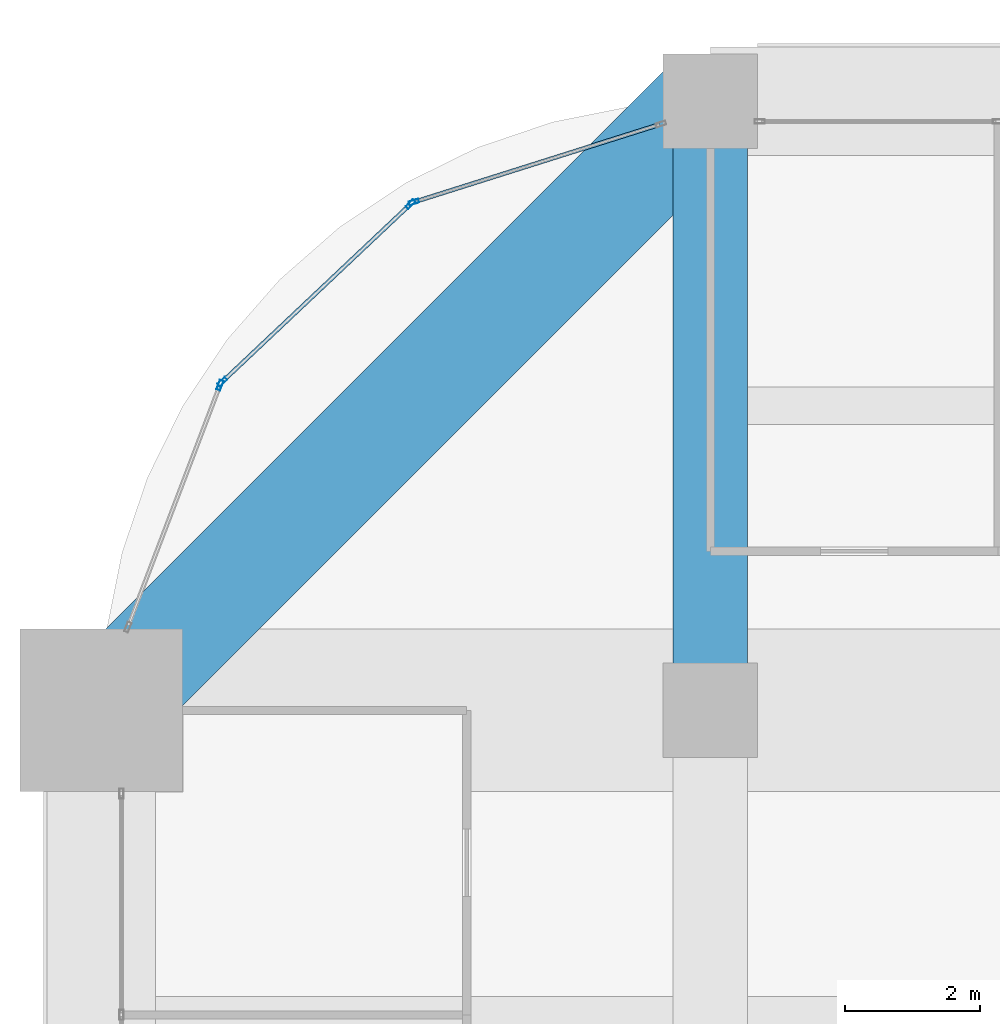
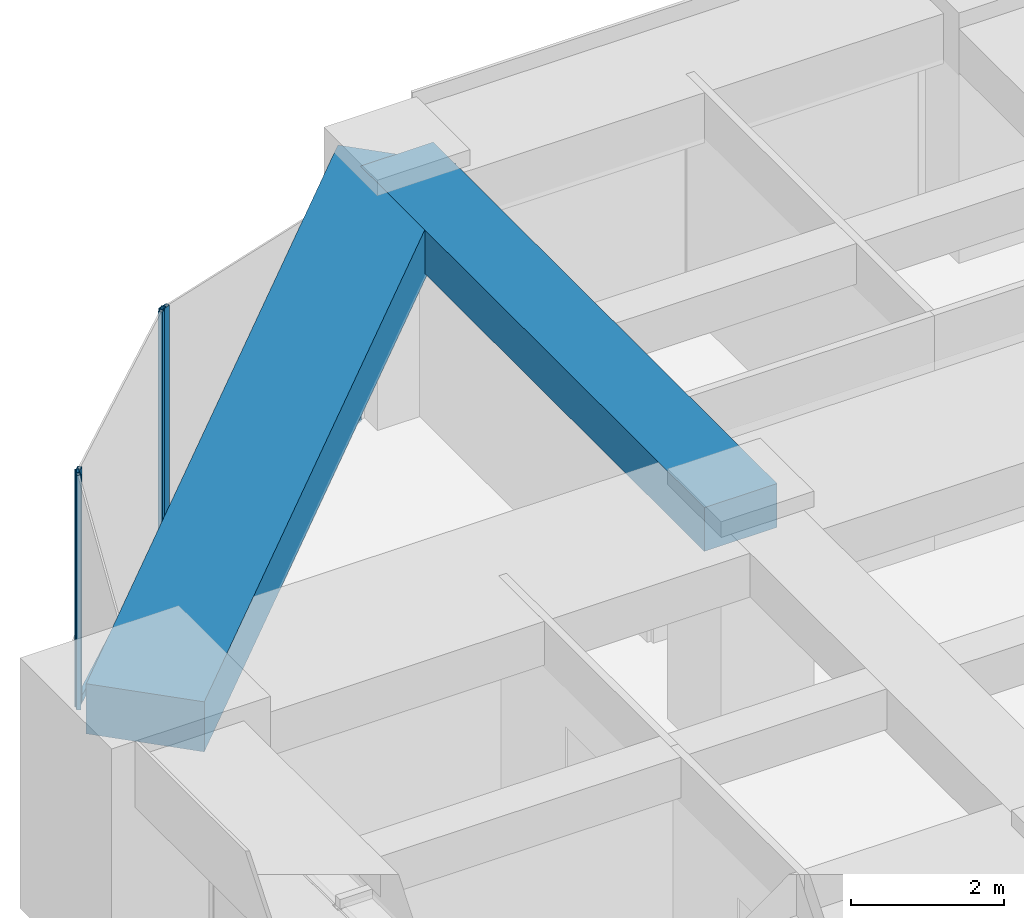
# One storey, part 21 of 35: 6 members, 2 beams, 3 elements without a shape of their own.
"""IFC4 building model written with IfcOpenShell, lengths in metres."""

from ifc_helpers import new_model, si_unit, direction, frame, origin, origin_2d, place, context, subcontext, project, spatial, rectangle, hollow_rectangle, extrude, material, material_profile, profile_set, type_object, element, aggregate, save


model = new_model("IFC4")

# Units and contexts
model_context = context("Model", 3, precision=1e-05, world=origin(), true_north=direction((0.0, 1.0)))
body_context = subcontext(model_context, "Body", "Model", "MODEL_VIEW")
ifc_project = project(units=[si_unit("LENGTHUNIT", "METRE"), si_unit("AREAUNIT", "SQUARE_METRE"), si_unit("VOLUMEUNIT", "CUBIC_METRE"), si_unit("PLANEANGLEUNIT", "RADIAN"), si_unit("MASSUNIT", "GRAM", prefix="KILO")], contexts=[model_context])

# Site, building, storey
site_placement = place(None, origin())
site = spatial("IfcSite", under=ifc_project, at=site_placement, CompositionType="ELEMENT")
building_placement = place(site_placement, origin())
building = spatial("IfcBuilding", under=site, at=building_placement, Name="Zorevar Civic Tower", CompositionType="ELEMENT")
storey_placement = place(building_placement, frame((0.0, 0.0, 218.199951171875)))
storey = spatial("IfcBuildingStorey", under=building, at=storey_placement, Name="L53", CompositionType="ELEMENT", Elevation=218.199951171875)

# Beam
ifc_material_1 = material(Name="Concrete C50/60", Category="concrete")
ifc_material_profile_1 = material_profile(ifc_material_1, rectangle(XDim=1.10009765625, YDim=0.699951171875, at=origin_2d()), Name="RC 1100x700")
ifc_profile_set_1 = profile_set([ifc_material_profile_1], Name="Concrete C50/60")
beam_type_1 = type_object("IfcBeamType", Name="Beam RC 1100x700", PredefinedType="BEAM", material=ifc_profile_set_1)
beam_1_placement = place(storey_placement, frame((9.0, 36.0, 3.400146484375), z_axis=(0.0, 1.0, 0.0), x_axis=(-1.0, 0.0, 0.0)))
element("IfcBeam", 1, at=beam_1_placement, inside=storey, type_object=beam_type_1, Name="Girder L54", PredefinedType="BEAM", context=body_context, shape_type="SweptSolid", body=[
    extrude(rectangle(XDim=1.10009765625, YDim=0.699951171875, at=origin_2d()), origin(), (0.0, 0.0, 1.0), 9.0),
])

# Curtain wall, member
ifc_material_2 = material(Name="Dark grey solar-control glass in black aluminium frame", Category="aluminium")
curtain_wall_type = type_object("IfcCurtainWallType", Name="Curtain wall CW4 high zone", PredefinedType="NOTDEFINED", material=ifc_material_2)
curtain_wall_1_placement = place(storey_placement, origin())
curtain_wall_1 = element("IfcCurtainWall", 2, at=curtain_wall_1_placement, inside=storey, type_object=curtain_wall_type, Name="CW4 L53", PredefinedType="NOTDEFINED")
ifc_material_3 = material(Name="Aluminium, black anodised", Category="aluminium")
ifc_material_profile_2 = material_profile(ifc_material_3, hollow_rectangle(XDim=0.06005859375, YDim=0.14990234375, WallThickness=0.00390625, at=origin_2d()), Name="AL 150x60x4")
ifc_profile_set_2 = profile_set([ifc_material_profile_2], Name="Aluminium, black anodised")
member_type_1 = type_object("IfcMemberType", Name="CW4 mullion AL 150x60x4", PredefinedType="MULLION", material=ifc_profile_set_2)
member_1_placement = place(storey_placement, frame((4.62158203125, 43.51025390625, 0.0), z_axis=(0.0, 0.0, 1.0), x_axis=(0.301108296077, -0.953589950678, 0.0)))
member_1 = element("IfcMember", 3, at=member_1_placement, type_object=member_type_1, Name="CW4 mullion 2", PredefinedType="MULLION", context=body_context, shape_type="SweptSolid", body=[
    extrude(hollow_rectangle(XDim=0.06005859375, YDim=0.14990234375, WallThickness=0.00390625, at=origin_2d()), origin(), (0.0, 0.0, 1.0), 3.75),
])

# Curtain wall, members
curtain_wall_2_placement = place(storey_placement, origin())
curtain_wall_2 = element("IfcCurtainWall", 4, at=curtain_wall_2_placement, inside=storey, type_object=curtain_wall_type, Name="CW4 L53", PredefinedType="NOTDEFINED")
member_2_placement = place(storey_placement, frame((4.5712890625, 43.480712890625, 0.0), z_axis=(0.0, 0.0, 1.0), x_axis=(0.686377907265, -0.727245053898, 0.0)))
member_2 = element("IfcMember", 5, at=member_2_placement, type_object=member_type_1, Name="CW4 mullion 1", PredefinedType="MULLION", context=body_context, shape_type="SweptSolid", body=[
    extrude(hollow_rectangle(XDim=0.06005859375, YDim=0.14990234375, WallThickness=0.00390625, at=origin_2d()), origin(), (0.0, 0.0, 1.0), 3.75),
])
member_3_placement = place(storey_placement, frame((1.787841796875, 40.853759765625, 0.0), z_axis=(0.0, 0.0, 1.0), x_axis=(0.686377907265, -0.727245053898, 0.0)))
member_3 = element("IfcMember", 6, at=member_3_placement, type_object=member_type_1, Name="CW4 mullion 2", PredefinedType="MULLION", context=body_context, shape_type="SweptSolid", body=[
    extrude(hollow_rectangle(XDim=0.06005859375, YDim=0.14990234375, WallThickness=0.00390625, at=origin_2d()), origin(), (0.0, 0.0, 1.0), 3.75),
])

# Curtain wall, member
curtain_wall_3_placement = place(storey_placement, origin())
curtain_wall_3 = element("IfcCurtainWall", 7, at=curtain_wall_3_placement, inside=storey, type_object=curtain_wall_type, Name="CW4 L53", PredefinedType="NOTDEFINED")
member_4_placement = place(storey_placement, frame((1.75537109375, 40.804931640625, 0.0), z_axis=(0.0, 0.0, 1.0), x_axis=(0.93458842801, -0.355730895803, 0.0)))
member_4 = element("IfcMember", 8, at=member_4_placement, type_object=member_type_1, Name="CW4 mullion 1", PredefinedType="MULLION", context=body_context, shape_type="SweptSolid", body=[
    extrude(hollow_rectangle(XDim=0.06005859375, YDim=0.14990234375, WallThickness=0.00390625, at=origin_2d()), origin(), (0.0, 0.0, 1.0), 3.75),
])
aggregate(curtain_wall_3, [member_4])

# Member
ifc_material_4 = material(Name="Aluminium, black anodised", Category="aluminium")
ifc_material_profile_3 = material_profile(ifc_material_4, hollow_rectangle(XDim=0.06005859375, YDim=0.1201171875, WallThickness=0.0029296875, at=origin_2d()), Name="AL 120x60x3")
ifc_profile_set_3 = profile_set([ifc_material_profile_3], Name="Aluminium, black anodised")
member_type_2 = type_object("IfcMemberType", Name="CW4 transom AL 120x60x3", PredefinedType="USERDEFINED", material=ifc_profile_set_3)
member_5_placement = place(storey_placement, frame((8.24267578125, 44.653564453125, 0.030029296875), z_axis=(-0.953592459367, -0.301100351109, 0.0), x_axis=(0.301100351109, -0.953592459367, 0.0)))
member_5 = element("IfcMember", 9, at=member_5_placement, type_object=member_type_2, Name="CW4 sill transom", ObjectType="TRANSOM", PredefinedType="USERDEFINED", context=body_context, shape_type="SweptSolid", body=[
    extrude(hollow_rectangle(XDim=0.06005859375, YDim=0.1201171875, WallThickness=0.0029296875, at=origin_2d()), origin(), (0.0, 0.0, 1.0), 3.76708984375),
])

aggregate(curtain_wall_1, [member_1, member_5])

member_6_placement = place(storey_placement, frame((4.549560546875, 43.4599609375, 0.030029296875), z_axis=(-0.727288059227, -0.686332338526, 0.0), x_axis=(0.686332338526, -0.727288059227, 0.0)))
member_6 = element("IfcMember", 10, at=member_6_placement, type_object=member_type_2, Name="CW4 sill transom", ObjectType="TRANSOM", PredefinedType="USERDEFINED", context=body_context, shape_type="SweptSolid", body=[
    extrude(hollow_rectangle(XDim=0.06005859375, YDim=0.1201171875, WallThickness=0.0029296875, at=origin_2d()), origin(), (0.0, 0.0, 1.0), 3.767333984375),
])

aggregate(curtain_wall_2, [member_2, member_3, member_6])

# Beam
ifc_material_5 = material(Name="Concrete C50/60", Category="concrete")
ifc_material_profile_4 = material_profile(ifc_material_5, rectangle(XDim=1.60009765625, YDim=0.800048828125, at=origin_2d()), Name="RC 1600x800")
ifc_profile_set_4 = profile_set([ifc_material_profile_4], Name="Concrete C50/60")
beam_type_2 = type_object("IfcBeamType", Name="Edge beam RC 1600x800", PredefinedType="SPANDREL", material=ifc_profile_set_4)
beam_2_placement = place(storey_placement, frame((9.0, 45.0, 3.35009765625), z_axis=(-0.707106781187, -0.707106781187, 0.0), x_axis=(0.707106781187, -0.707106781187, 0.0)))
element("IfcBeam", 11, at=beam_2_placement, inside=storey, type_object=beam_type_2, Name="Corner edge beam L54", PredefinedType="SPANDREL", context=body_context, shape_type="SweptSolid", body=[
    extrude(rectangle(XDim=1.60009765625, YDim=0.800048828125, at=origin_2d()), origin(), (0.0, 0.0, 1.0), 12.72802734375),
])

save(model, "model.ifc")
